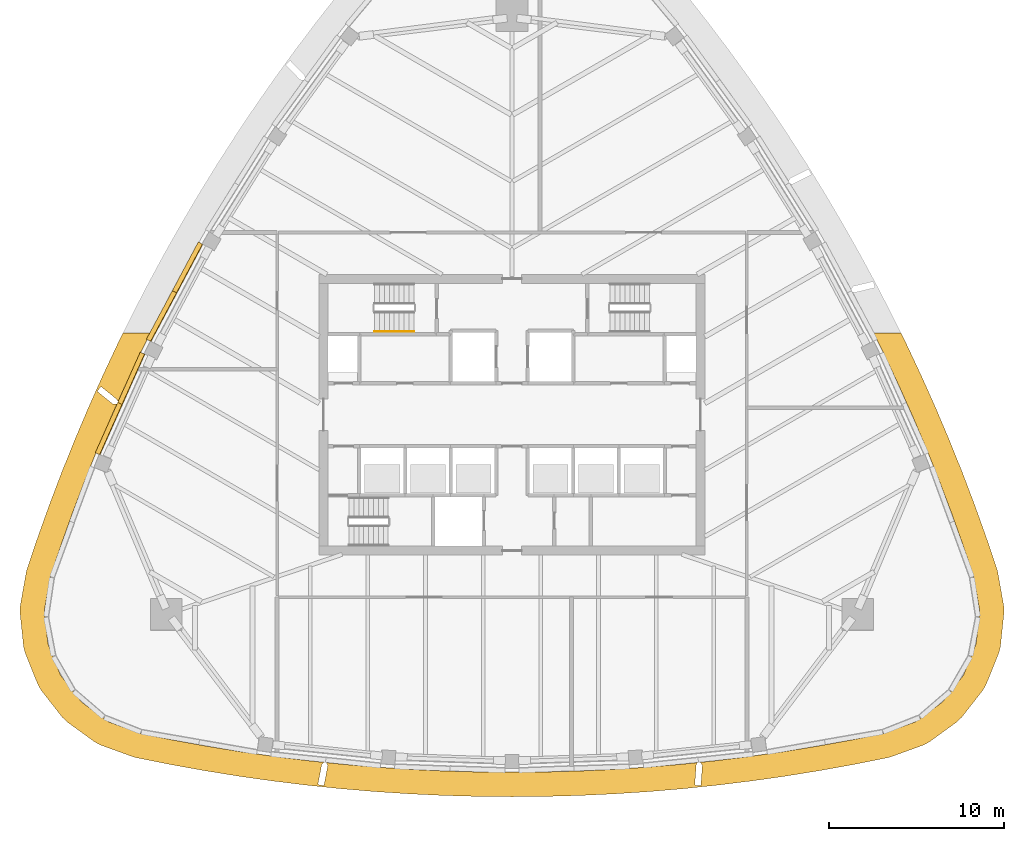
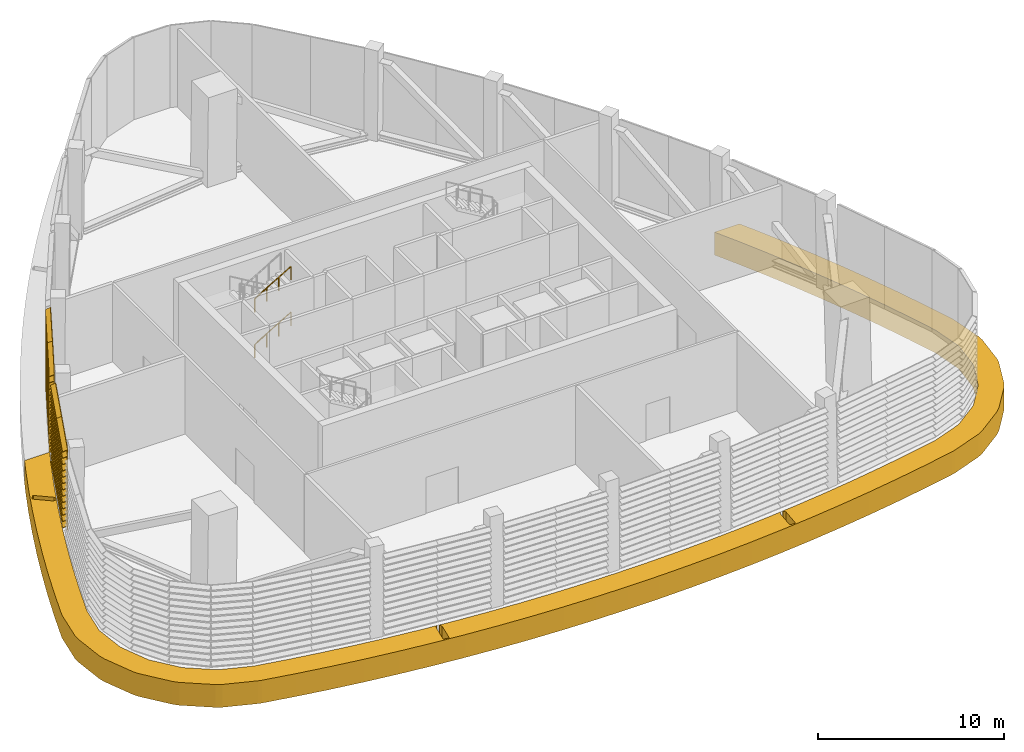
# One storey, part 9 of 15: 4 shading devices, 2 railings, 1 covering.
"""IFC4 building model written with IfcOpenShell, lengths in metres."""

from ifc_helpers import new_model, si_unit, direction, frame, origin, origin_2d, place, context, subcontext, project, spatial, polyline, circle, outline, extrude, material, layer, layer_set, type_object, element, save


model = new_model("IFC4")

# Units and contexts
model_context = context("Model", 3, precision=1e-05, world=origin(), true_north=direction((0.0, 1.0)))
body_context = subcontext(model_context, "Body", "Model", "MODEL_VIEW")
ifc_project = project(units=[si_unit("LENGTHUNIT", "METRE"), si_unit("AREAUNIT", "SQUARE_METRE"), si_unit("VOLUMEUNIT", "CUBIC_METRE"), si_unit("PLANEANGLEUNIT", "RADIAN"), si_unit("MASSUNIT", "GRAM", prefix="KILO")], contexts=[model_context])

# Site, building, storey
site_placement = place(None, origin())
site = spatial("IfcSite", under=ifc_project, at=site_placement, CompositionType="ELEMENT")
building_placement = place(site_placement, origin())
building = spatial("IfcBuilding", under=site, at=building_placement, Name="Sierra Prisma Convention Tower", CompositionType="ELEMENT")
storey_placement = place(building_placement, frame((0.0, 0.0, 324.39990234375)))
storey = spatial("IfcBuildingStorey", under=building, at=storey_placement, Name="L74", CompositionType="ELEMENT", Elevation=324.39990234375)

# Covering
ifc_material_1 = material(Name="Aluminium composite bronze anodised", Category="aluminium")
ifc_layer = layer(ifc_material_1, 1.39990234375)
ifc_layer_set = layer_set([ifc_layer], Name="Bronze belt mass")
covering_type = type_object("IfcCoveringType", Name="Bronze belt mass", PredefinedType="CLADDING", material=ifc_layer_set)
covering_placement = place(storey_placement, frame((0.0, 0.0, -1.5)))
element("IfcCovering", 1, at=covering_placement, inside=storey, type_object=covering_type, Name="Belt mass lower L74.1", PredefinedType="CLADDING", context=body_context, shape_type="SweptSolid", body=[
    extrude(outline(polyline([(-25.6796875, -3.266357421875), (-25.669921875, -3.24169921875), (-24.947265625, -1.443603515625), (-24.937255859375, -1.419189453125), (-24.180908203125, 0.364990234375), (-24.17041015625, 0.389404296875), (-23.38037109375, 2.158935546875), (-23.369384765625, 2.182861328125), (-22.546142578125, 3.937255859375), (-22.53466796875, 3.961181640625), (-22.19384765625, 4.653076171875), (-20.63330078125, 4.653076171875), (-21.27880859375, 3.342529296875), (-22.101806640625, 1.588134765625), (-22.482177734375, 0.736572265625), (-22.481689453125, 0.7392578125), (-22.481201171875, 0.744140625), (-22.4814453125, 0.7490234375), (-22.48193359375, 0.75390625), (-22.483154296875, 0.7587890625), (-22.484619140625, 0.763427734375), (-22.48681640625, 0.76806640625), (-22.537841796875, 0.868408203125), (-22.54052734375, 0.872802734375), (-22.543701171875, 0.877197265625), (-22.547119140625, 0.881103515625), (-22.55078125, 0.884521484375), (-23.405029296875, 1.57763671875), (-23.408935546875, 1.58056640625), (-23.4130859375, 1.5830078125), (-23.417724609375, 1.585205078125), (-23.42236328125, 1.586669921875), (-23.427001953125, 1.587890625), (-23.431884765625, 1.588623046875), (-23.436767578125, 1.5888671875), (-23.441650390625, 1.58837890625), (-23.446533203125, 1.587890625), (-23.451416015625, 1.586669921875), (-23.455810546875, 1.5849609375), (-23.46044921875, 1.582763671875), (-23.464599609375, 1.580078125), (-23.468505859375, 1.577392578125), (-23.47216796875, 1.573974609375), (-23.475341796875, 1.5703125), (-23.6328125, 1.376220703125), (-23.6357421875, 1.372314453125), (-23.63818359375, 1.367919921875), (-23.640380859375, 1.363525390625), (-23.64208984375, 1.35888671875), (-23.643310546875, 1.354248046875), (-23.643798828125, 1.349365234375), (-23.64404296875, 1.344482421875), (-23.643798828125, 1.339599609375), (-23.64306640625, 1.334716796875), (-23.641845703125, 1.329833984375), (-23.64013671875, 1.3251953125), (-23.63818359375, 1.32080078125), (-23.635498046875, 1.316650390625), (-23.632568359375, 1.312744140625), (-23.629150390625, 1.30908203125), (-23.62548828125, 1.305908203125), (-22.771484375, 0.61279296875), (-22.767333984375, 0.60986328125), (-22.76318359375, 0.607177734375), (-22.758544921875, 0.605224609375), (-22.75390625, 0.603515625), (-22.7490234375, 0.602294921875), (-22.744140625, 0.601806640625), (-22.7392578125, 0.6015625), (-22.5712890625, 0.60400390625), (-22.56640625, 0.604248046875), (-22.56201171875, 0.60498046875), (-22.557373046875, 0.606201171875), (-22.552734375, 0.60791015625), (-22.548583984375, 0.60986328125), (-22.54443359375, 0.6123046875), (-22.540771484375, 0.614990234375), (-22.537109375, 0.6181640625), (-22.533935546875, 0.62158203125), (-22.53271484375, 0.623291015625), (-22.891845703125, -0.181396484375), (-23.648193359375, -1.965576171875), (-24.37109375, -3.763916015625), (-25.059814453125, -5.5751953125), (-25.714111328125, -7.3994140625), (-26.333984375, -9.235595703125), (-26.67333984375, -11.142578125), (-26.472900390625, -13.069091796875), (-25.747802734375, -14.865478515625), (-24.5546875, -16.3916015625), (-22.986572265625, -17.528564453125), (-21.1650390625, -18.18798828125), (-19.26513671875, -18.5693359375), (-17.358154296875, -18.914794921875), (-15.445068359375, -19.22412109375), (-13.526611328125, -19.497314453125), (-11.60302734375, -19.734130859375), (-10.7265625, -19.825439453125), (-10.72900390625, -19.82568359375), (-10.733642578125, -19.826904296875), (-10.73828125, -19.82861328125), (-10.74267578125, -19.83056640625), (-10.746826171875, -19.8330078125), (-10.750732421875, -19.835693359375), (-10.75439453125, -19.839111328125), (-10.7578125, -19.842529296875), (-10.84326171875, -19.943359375), (-10.84619140625, -19.947509765625), (-10.848876953125, -19.951904296875), (-10.85107421875, -19.95654296875), (-10.852783203125, -19.961181640625), (-10.85400390625, -19.96630859375), (-11.06298828125, -21.04638671875), (-11.0634765625, -21.051025390625), (-11.063720703125, -21.055908203125), (-11.0634765625, -21.060791015625), (-11.062744140625, -21.06591796875), (-11.0615234375, -21.070556640625), (-11.059814453125, -21.0751953125), (-11.0576171875, -21.07958984375), (-11.05517578125, -21.083740234375), (-11.05224609375, -21.087646484375), (-11.048828125, -21.09130859375), (-11.04541015625, -21.094482421875), (-11.041259765625, -21.097412109375), (-11.037109375, -21.10009765625), (-11.03271484375, -21.10205078125), (-11.028076171875, -21.103759765625), (-11.023193359375, -21.104736328125), (-10.77783203125, -21.15234375), (-10.77294921875, -21.153076171875), (-10.76806640625, -21.1533203125), (-10.76318359375, -21.15283203125), (-10.75830078125, -21.152099609375), (-10.75341796875, -21.15087890625), (-10.748779296875, -21.1494140625), (-10.744384765625, -21.147216796875), (-10.740234375, -21.14453125), (-10.736328125, -21.1416015625), (-10.73291015625, -21.138427734375), (-10.7294921875, -21.134765625), (-10.7265625, -21.130615234375), (-10.72412109375, -21.12646484375), (-10.721923828125, -21.1220703125), (-10.720458984375, -21.117431640625), (-10.71923828125, -21.11279296875), (-10.510498046875, -20.03271484375), (-10.509765625, -20.027587890625), (-10.509521484375, -20.022705078125), (-10.510009765625, -20.017578125), (-10.5107421875, -20.0126953125), (-10.511962890625, -20.0078125), (-10.513916015625, -20.003173828125), (-10.57421875, -19.865234375), (-10.576416015625, -19.86083984375), (-10.5791015625, -19.856689453125), (-10.581787109375, -19.85302734375), (-10.585205078125, -19.849609375), (-10.5888671875, -19.84619140625), (-10.592529296875, -19.843505859375), (-10.5966796875, -19.841064453125), (-10.60107421875, -19.839111328125), (-10.60302734375, -19.83837890625), (-9.675537109375, -19.934814453125), (-7.74462890625, -20.09912109375), (-5.810791015625, -20.22705078125), (-3.875, -20.318359375), (-1.93798828125, -20.373291015625), (0.0, -20.391357421875), (1.93798828125, -20.373291015625), (3.875, -20.318359375), (5.810791015625, -20.22705078125), (7.74462890625, -20.09912109375), (9.675537109375, -19.934814453125), (10.60302734375, -19.83837890625), (10.60009765625, -19.839599609375), (10.595458984375, -19.841796875), (10.591064453125, -19.844482421875), (10.5869140625, -19.847900390625), (10.583251953125, -19.8515625), (10.580078125, -19.85546875), (10.5771484375, -19.85986328125), (10.5146484375, -19.965087890625), (10.512451171875, -19.96923828125), (10.510498046875, -19.973388671875), (10.50927734375, -19.977783203125), (10.50830078125, -19.982421875), (10.5078125, -19.987060546875), (10.4296875, -21.084228515625), (10.4296875, -21.089111328125), (10.43017578125, -21.093994140625), (10.430908203125, -21.098876953125), (10.432373046875, -21.103759765625), (10.43408203125, -21.108154296875), (10.436279296875, -21.112548828125), (10.43896484375, -21.11669921875), (10.44189453125, -21.12060546875), (10.4453125, -21.124267578125), (10.44921875, -21.12744140625), (10.453125, -21.130126953125), (10.45751953125, -21.132568359375), (10.4619140625, -21.134521484375), (10.466552734375, -21.135986328125), (10.47119140625, -21.13720703125), (10.476318359375, -21.1376953125), (10.7255859375, -21.155517578125), (10.73046875, -21.155517578125), (10.7353515625, -21.1552734375), (10.740234375, -21.154296875), (10.744873046875, -21.153076171875), (10.74951171875, -21.151123046875), (10.75390625, -21.14892578125), (10.758056640625, -21.146240234375), (10.76171875, -21.143310546875), (10.765380859375, -21.139892578125), (10.7685546875, -21.13623046875), (10.771484375, -21.132080078125), (10.773681640625, -21.1279296875), (10.77587890625, -21.123291015625), (10.77734375, -21.118896484375), (10.7783203125, -21.114013671875), (10.779052734375, -21.109130859375), (10.856689453125, -20.01171875), (10.85693359375, -20.007080078125), (10.856689453125, -20.002685546875), (10.85595703125, -19.998046875), (10.854736328125, -19.993408203125), (10.85302734375, -19.989013671875), (10.851318359375, -19.98486328125), (10.848876953125, -19.98095703125), (10.761474609375, -19.847412109375), (10.758544921875, -19.843505859375), (10.755126953125, -19.83984375), (10.75146484375, -19.83642578125), (10.74755859375, -19.83349609375), (10.743408203125, -19.830810546875), (10.73876953125, -19.828857421875), (10.734130859375, -19.8271484375), (10.729248046875, -19.825927734375), (10.7265625, -19.825439453125), (11.60302734375, -19.734130859375), (13.526611328125, -19.497314453125), (15.445068359375, -19.22412109375), (17.358154296875, -18.914794921875), (19.26513671875, -18.5693359375), (21.1650390625, -18.18798828125), (22.986572265625, -17.528564453125), (24.5546875, -16.3916015625), (25.747802734375, -14.865478515625), (26.472900390625, -13.069091796875), (26.67333984375, -11.142578125), (26.333984375, -9.235595703125), (25.714111328125, -7.3994140625), (25.059814453125, -5.5751953125), (24.37109375, -3.763916015625), (23.648193359375, -1.965576171875), (22.891845703125, -0.181396484375), (22.101806640625, 1.588134765625), (21.27880859375, 3.342529296875), (20.63330078125, 4.653076171875), (22.19384765625, 4.653076171875), (22.53466796875, 3.961181640625), (22.546142578125, 3.937255859375), (23.369384765625, 2.182861328125), (23.38037109375, 2.158935546875), (24.17041015625, 0.389404296875), (24.180908203125, 0.364990234375), (24.937255859375, -1.419189453125), (24.947265625, -1.443603515625), (25.669921875, -3.24169921875), (25.6796875, -3.266357421875), (26.368408203125, -5.077880859375), (26.37744140625, -5.1025390625), (27.03173828125, -6.9267578125), (27.04052734375, -6.95166015625), (27.660400390625, -8.787841796875), (27.712158203125, -8.990234375), (28.0517578125, -10.897216796875), (28.06591796875, -11.28759765625), (27.865234375, -13.214111328125), (27.77099609375, -13.59326171875), (27.0458984375, -15.389404296875), (26.8505859375, -15.727783203125), (25.65771484375, -17.25390625), (25.37646484375, -17.52490234375), (23.80810546875, -18.662109375), (23.463134765625, -18.844970703125), (21.641845703125, -19.50439453125), (21.440673828125, -19.560791015625), (19.54052734375, -19.94189453125), (19.5146484375, -19.947021484375), (17.607666015625, -20.292236328125), (17.58154296875, -20.296630859375), (15.66845703125, -20.606201171875), (15.642333984375, -20.610107421875), (13.723876953125, -20.88330078125), (13.69775390625, -20.88671875), (11.7744140625, -21.123779296875), (11.748046875, -21.126708984375), (9.820556640625, -21.327392578125), (9.794189453125, -21.329833984375), (7.86328125, -21.494140625), (7.8369140625, -21.49609375), (5.9033203125, -21.623779296875), (5.876708984375, -21.62548828125), (3.94091796875, -21.716796875), (3.91455078125, -21.7177734375), (1.9775390625, -21.772705078125), (1.951171875, -21.773193359375), (0.01318359375, -21.79150390625), (-0.01318359375, -21.79150390625), (-1.951171875, -21.773193359375), (-1.9775390625, -21.772705078125), (-3.91455078125, -21.7177734375), (-3.94091796875, -21.716796875), (-5.876708984375, -21.62548828125), (-5.9033203125, -21.623779296875), (-7.8369140625, -21.49609375), (-7.86328125, -21.494140625), (-9.794189453125, -21.329833984375), (-9.820556640625, -21.327392578125), (-11.748046875, -21.126708984375), (-11.7744140625, -21.123779296875), (-13.69775390625, -20.88671875), (-13.723876953125, -20.88330078125), (-15.642333984375, -20.610107421875), (-15.66845703125, -20.606201171875), (-17.58154296875, -20.296630859375), (-17.607666015625, -20.292236328125), (-19.5146484375, -19.947021484375), (-19.54052734375, -19.94189453125), (-21.440673828125, -19.560791015625), (-21.641845703125, -19.50439453125), (-23.463134765625, -18.844970703125), (-23.80810546875, -18.662109375), (-25.37646484375, -17.52490234375), (-25.65771484375, -17.25390625), (-26.8505859375, -15.727783203125), (-27.0458984375, -15.389404296875), (-27.77099609375, -13.59326171875), (-27.865234375, -13.214111328125), (-28.06591796875, -11.28759765625), (-28.0517578125, -10.897216796875), (-27.712158203125, -8.990234375), (-27.660400390625, -8.787841796875), (-27.04052734375, -6.95166015625), (-27.03173828125, -6.9267578125), (-26.37744140625, -5.1025390625), (-26.368408203125, -5.077880859375), (-25.6796875, -3.266357421875)])), origin(), (0.0, 0.0, 1.0), 1.5),
])

# Railings
ifc_material_2 = material(Name="Stainless steel", Category="steel")
railing_type = type_object("IfcRailingType", Name="Exit stair handrail", PredefinedType="HANDRAIL", material=ifc_material_2)
for number, where, name in (
    (2, (-7.840087890625, 4.75, 1.666748046875), "L74 S3 stair handrail 2"),
    (3, (-7.840087890625, 4.75, 4.666748046875), "L74 S3 stair handrail 4"),
):
    element("IfcRailing", number, at=place(storey_placement, frame(where)), inside=storey, type_object=railing_type, Name=name, PredefinedType="HANDRAIL", context=body_context, shape_type="SweptSolid", body=[
        extrude(circle(Radius=0.02392578125, at=origin_2d()), frame((0.0, 0.0, 0.8759765625), z_axis=(0.859305625298, 0.0, 0.511462454469), x_axis=(0.0, 1.0, 0.0)), (0.0, 0.0, 1.0), 2.606689453125),
        extrude(circle(Radius=0.02099609375, at=origin_2d()), origin(), (0.0, 0.0, 1.0), 0.851806640625),
        extrude(circle(Radius=0.02099609375, at=origin_2d()), frame((0.74658203125, 0.0, 0.4443359375)), (0.0, 0.0, 1.0), 0.851806640625),
        extrude(circle(Radius=0.02099609375, at=origin_2d()), frame((1.493408203125, 0.0, 0.888916015625)), (0.0, 0.0, 1.0), 0.851806640625),
        extrude(circle(Radius=0.02099609375, at=origin_2d()), frame((2.239990234375, 0.0, 1.333251953125)), (0.0, 0.0, 1.0), 0.851806640625),
    ])

# Shading devices
ifc_material_3 = material(Name="Aluminium 6063-T6 bronze anodised", Category="aluminium")
shading_device_type = type_object("IfcShadingDeviceType", Name="Louvre bay bronze", PredefinedType="USERDEFINED", material=ifc_material_3)
shading_device_1_placement = place(storey_placement, frame((-17.630859375, 9.717529296875, 0.0), z_axis=(0.469930120247, 0.88270362075, 0.0), x_axis=(0.0, 0.0, 1.0)))
element("IfcShadingDevice", 4, at=shading_device_1_placement, inside=storey, type_object=shading_device_type, Name="Louvre L74 NW4.1", ObjectType="LOUVRE", PredefinedType="USERDEFINED", context=body_context, shape_type="SweptSolid", body=[
    extrude(outline(polyline([(0.0, 0.0), (5.400146484375, 0.0), (5.400146484375, -0.030144199618174782), (5.380126953125, -0.030144199618174782), (5.260009765625, -0.3001350190469229), (5.22998046875, -0.3001350190469229), (5.35009765625, -0.030144199618174782), (4.984619140625, -0.030144199618174782), (4.964599609375, -0.030144199618174782), (4.8447265625, -0.3001350190469229), (4.814697265625, -0.3001350190469229), (4.934814453125, -0.030144199618174782), (4.5693359375, -0.030144199618174782), (4.54931640625, -0.030144199618174782), (4.429443359375, -0.3001350190469229), (4.3994140625, -0.3001350190469229), (4.519287109375, -0.030144199618174782), (4.154052734375, -0.030144199618174782), (4.134033203125, -0.030144199618174782), (4.013916015625, -0.3001350190469229), (3.98388671875, -0.3001350190469229), (4.10400390625, -0.030144199618174782), (3.738525390625, -0.030144199618174782), (3.718505859375, -0.030144199618174782), (3.5986328125, -0.3001350190469229), (3.568603515625, -0.3001350190469229), (3.6884765625, -0.030144199618174782), (3.3232421875, -0.030144199618174782), (3.30322265625, -0.030144199618174782), (3.18310546875, -0.3001350190469229), (3.153076171875, -0.3001350190469229), (3.273193359375, -0.030144199618174782), (2.90771484375, -0.030144199618174782), (2.8876953125, -0.030144199618174782), (2.767822265625, -0.3001350190469229), (2.73779296875, -0.3001350190469229), (2.85791015625, -0.030144199618174782), (2.492431640625, -0.030144199618174782), (2.472412109375, -0.030144199618174782), (2.352294921875, -0.3001350190469229), (2.322509765625, -0.3001350190469229), (2.4423828125, -0.030144199618174782), (2.076904296875, -0.030144199618174782), (2.05712890625, -0.030144199618174782), (1.93701171875, -0.3001350190469229), (1.906982421875, -0.3001350190469229), (2.027099609375, -0.030144199618174782), (1.66162109375, -0.030144199618174782), (1.6416015625, -0.030144199618174782), (1.521728515625, -0.3001350190469229), (1.49169921875, -0.3001350190469229), (1.611572265625, -0.030144199618174782), (1.246337890625, -0.030144199618174782), (1.226318359375, -0.030144199618174782), (1.106201171875, -0.3001350190469229), (1.076171875, -0.3001350190469229), (1.1962890625, -0.030144199618174782), (0.830810546875, -0.030144199618174782), (0.810791015625, -0.030144199618174782), (0.69091796875, -0.3001350190469229), (0.660888671875, -0.3001350190469229), (0.78076171875, -0.030144199618174782), (0.41552734375, -0.030144199618174782), (0.3955078125, -0.030144199618174782), (0.275390625, -0.3001350190469229), (0.245361328125, -0.3001350190469229), (0.365478515625, -0.030144199618174782), (0.0, -0.030144199618174782), (0.0, 0.0)])), origin(), (0.0, 0.0, -1.0), 3.1435546875),
])
shading_device_2_placement = place(storey_placement, frame((-19.107666015625, 6.9423828125, 0.0), z_axis=(0.471552021236, 0.881838245524, 0.0), x_axis=(0.0, 0.0, 1.0)))
element("IfcShadingDevice", 5, at=shading_device_2_placement, inside=storey, type_object=shading_device_type, Name="Louvre L74 NW4.2", ObjectType="LOUVRE", PredefinedType="USERDEFINED", context=body_context, shape_type="SweptSolid", body=[
    extrude(outline(polyline([(0.0, 0.0), (5.400146484375, 0.0), (5.400146484375, -0.0299288446650984), (5.380126953125, -0.0299288446650984), (5.260009765625, -0.30001953433748546), (5.22998046875, -0.30001953433748546), (5.35009765625, -0.0299288446650984), (4.984619140625, -0.0299288446650984), (4.964599609375, -0.0299288446650984), (4.8447265625, -0.30001953433748546), (4.814697265625, -0.30001953433748546), (4.934814453125, -0.0299288446650984), (4.5693359375, -0.0299288446650984), (4.54931640625, -0.0299288446650984), (4.429443359375, -0.30001953433748546), (4.3994140625, -0.30001953433748546), (4.519287109375, -0.0299288446650984), (4.154052734375, -0.0299288446650984), (4.134033203125, -0.0299288446650984), (4.013916015625, -0.30001953433748546), (3.98388671875, -0.30001953433748546), (4.10400390625, -0.0299288446650984), (3.738525390625, -0.0299288446650984), (3.718505859375, -0.0299288446650984), (3.5986328125, -0.30001953433748546), (3.568603515625, -0.30001953433748546), (3.6884765625, -0.0299288446650984), (3.3232421875, -0.0299288446650984), (3.30322265625, -0.0299288446650984), (3.18310546875, -0.30001953433748546), (3.153076171875, -0.30001953433748546), (3.273193359375, -0.0299288446650984), (2.90771484375, -0.0299288446650984), (2.8876953125, -0.0299288446650984), (2.767822265625, -0.30001953433748546), (2.73779296875, -0.30001953433748546), (2.85791015625, -0.0299288446650984), (2.492431640625, -0.0299288446650984), (2.472412109375, -0.0299288446650984), (2.352294921875, -0.30001953433748546), (2.322509765625, -0.30001953433748546), (2.4423828125, -0.0299288446650984), (2.076904296875, -0.0299288446650984), (2.05712890625, -0.0299288446650984), (1.93701171875, -0.30001953433748546), (1.906982421875, -0.30001953433748546), (2.027099609375, -0.0299288446650984), (1.66162109375, -0.0299288446650984), (1.6416015625, -0.0299288446650984), (1.521728515625, -0.30001953433748546), (1.49169921875, -0.30001953433748546), (1.611572265625, -0.0299288446650984), (1.246337890625, -0.0299288446650984), (1.226318359375, -0.0299288446650984), (1.106201171875, -0.30001953433748546), (1.076171875, -0.30001953433748546), (1.1962890625, -0.0299288446650984), (0.830810546875, -0.0299288446650984), (0.810791015625, -0.0299288446650984), (0.69091796875, -0.30001953433748546), (0.660888671875, -0.30001953433748546), (0.78076171875, -0.0299288446650984), (0.41552734375, -0.0299288446650984), (0.3955078125, -0.0299288446650984), (0.275390625, -0.30001953433748546), (0.245361328125, -0.30001953433748546), (0.365478515625, -0.0299288446650984), (0.0, -0.0299288446650984), (0.0, 0.0)])), origin(), (0.0, 0.0, -1.0), 3.1435546875),
])
shading_device_3_placement = place(storey_placement, frame((-20.935302734375, 3.448974609375, 0.0), z_axis=(0.40768269661, 0.913123660237, 0.0), x_axis=(0.0, 0.0, 1.0)))
element("IfcShadingDevice", 6, at=shading_device_3_placement, inside=storey, type_object=shading_device_type, Name="Louvre L74 NW5.1", ObjectType="LOUVRE", PredefinedType="USERDEFINED", context=body_context, shape_type="SweptSolid", body=[
    extrude(outline(polyline([(0.0, 0.0), (5.400146484375, 0.0), (5.400146484375, -0.029944820502210735), (5.380126953125, -0.029944820502210735), (5.260009765625, -0.29999359809268455), (5.22998046875, -0.29999359809268455), (5.35009765625, -0.029944820502210735), (4.984619140625, -0.029944820502210735), (4.964599609375, -0.029944820502210735), (4.8447265625, -0.29999359809268455), (4.814697265625, -0.29999359809268455), (4.934814453125, -0.029944820502210735), (4.5693359375, -0.029944820502210735), (4.54931640625, -0.029944820502210735), (4.429443359375, -0.29999359809268455), (4.3994140625, -0.29999359809268455), (4.519287109375, -0.029944820502210735), (4.154052734375, -0.029944820502210735), (4.134033203125, -0.029944820502210735), (4.013916015625, -0.29999359809268455), (3.98388671875, -0.29999359809268455), (4.10400390625, -0.029944820502210735), (3.738525390625, -0.029944820502210735), (3.718505859375, -0.029944820502210735), (3.5986328125, -0.29999359809268455), (3.568603515625, -0.29999359809268455), (3.6884765625, -0.029944820502210735), (3.3232421875, -0.029944820502210735), (3.30322265625, -0.029944820502210735), (3.18310546875, -0.29999359809268455), (3.153076171875, -0.29999359809268455), (3.273193359375, -0.029944820502210735), (2.90771484375, -0.029944820502210735), (2.8876953125, -0.029944820502210735), (2.767822265625, -0.29999359809268455), (2.73779296875, -0.29999359809268455), (2.85791015625, -0.029944820502210735), (2.492431640625, -0.029944820502210735), (2.472412109375, -0.029944820502210735), (2.352294921875, -0.29999359809268455), (2.322509765625, -0.29999359809268455), (2.4423828125, -0.029944820502210735), (2.076904296875, -0.029944820502210735), (2.05712890625, -0.029944820502210735), (1.93701171875, -0.29999359809268455), (1.906982421875, -0.29999359809268455), (2.027099609375, -0.029944820502210735), (1.66162109375, -0.029944820502210735), (1.6416015625, -0.029944820502210735), (1.521728515625, -0.29999359809268455), (1.49169921875, -0.29999359809268455), (1.611572265625, -0.029944820502210735), (1.246337890625, -0.029944820502210735), (1.226318359375, -0.029944820502210735), (1.106201171875, -0.29999359809268455), (1.076171875, -0.29999359809268455), (1.1962890625, -0.029944820502210735), (0.830810546875, -0.029944820502210735), (0.810791015625, -0.029944820502210735), (0.69091796875, -0.29999359809268455), (0.660888671875, -0.29999359809268455), (0.78076171875, -0.029944820502210735), (0.41552734375, -0.029944820502210735), (0.3955078125, -0.029944820502210735), (0.275390625, -0.29999359809268455), (0.245361328125, -0.29999359809268455), (0.365478515625, -0.029944820502210735), (0.0, -0.029944820502210735), (0.0, 0.0)])), origin(), (0.0, 0.0, -1.0), 3.1435546875),
])
shading_device_4_placement = place(storey_placement, frame((-22.216796875, 0.578369140625, 0.0), z_axis=(0.40768269661, 0.913123660237, 0.0), x_axis=(0.0, 0.0, 1.0)))
element("IfcShadingDevice", 7, at=shading_device_4_placement, inside=storey, type_object=shading_device_type, Name="Louvre L74 NW5.2", ObjectType="LOUVRE", PredefinedType="USERDEFINED", context=body_context, shape_type="SweptSolid", body=[
    extrude(outline(polyline([(0.0, 0.0), (5.400146484375, 0.0), (5.400146484375, -0.029944820502210735), (5.380126953125, -0.029944820502210735), (5.260009765625, -0.29999359809268455), (5.22998046875, -0.29999359809268455), (5.35009765625, -0.029944820502210735), (4.984619140625, -0.029944820502210735), (4.964599609375, -0.029944820502210735), (4.8447265625, -0.29999359809268455), (4.814697265625, -0.29999359809268455), (4.934814453125, -0.029944820502210735), (4.5693359375, -0.029944820502210735), (4.54931640625, -0.029944820502210735), (4.429443359375, -0.29999359809268455), (4.3994140625, -0.29999359809268455), (4.519287109375, -0.029944820502210735), (4.154052734375, -0.029944820502210735), (4.134033203125, -0.029944820502210735), (4.013916015625, -0.29999359809268455), (3.98388671875, -0.29999359809268455), (4.10400390625, -0.029944820502210735), (3.738525390625, -0.029944820502210735), (3.718505859375, -0.029944820502210735), (3.5986328125, -0.29999359809268455), (3.568603515625, -0.29999359809268455), (3.6884765625, -0.029944820502210735), (3.3232421875, -0.029944820502210735), (3.30322265625, -0.029944820502210735), (3.18310546875, -0.29999359809268455), (3.153076171875, -0.29999359809268455), (3.273193359375, -0.029944820502210735), (2.90771484375, -0.029944820502210735), (2.8876953125, -0.029944820502210735), (2.767822265625, -0.29999359809268455), (2.73779296875, -0.29999359809268455), (2.85791015625, -0.029944820502210735), (2.492431640625, -0.029944820502210735), (2.472412109375, -0.029944820502210735), (2.352294921875, -0.29999359809268455), (2.322509765625, -0.29999359809268455), (2.4423828125, -0.029944820502210735), (2.076904296875, -0.029944820502210735), (2.05712890625, -0.029944820502210735), (1.93701171875, -0.29999359809268455), (1.906982421875, -0.29999359809268455), (2.027099609375, -0.029944820502210735), (1.66162109375, -0.029944820502210735), (1.6416015625, -0.029944820502210735), (1.521728515625, -0.29999359809268455), (1.49169921875, -0.29999359809268455), (1.611572265625, -0.029944820502210735), (1.246337890625, -0.029944820502210735), (1.226318359375, -0.029944820502210735), (1.106201171875, -0.29999359809268455), (1.076171875, -0.29999359809268455), (1.1962890625, -0.029944820502210735), (0.830810546875, -0.029944820502210735), (0.810791015625, -0.029944820502210735), (0.69091796875, -0.29999359809268455), (0.660888671875, -0.29999359809268455), (0.78076171875, -0.029944820502210735), (0.41552734375, -0.029944820502210735), (0.3955078125, -0.029944820502210735), (0.275390625, -0.29999359809268455), (0.245361328125, -0.29999359809268455), (0.365478515625, -0.029944820502210735), (0.0, -0.029944820502210735), (0.0, 0.0)])), origin(), (0.0, 0.0, -1.0), 3.1435546875),
])

save(model, "model.ifc")
